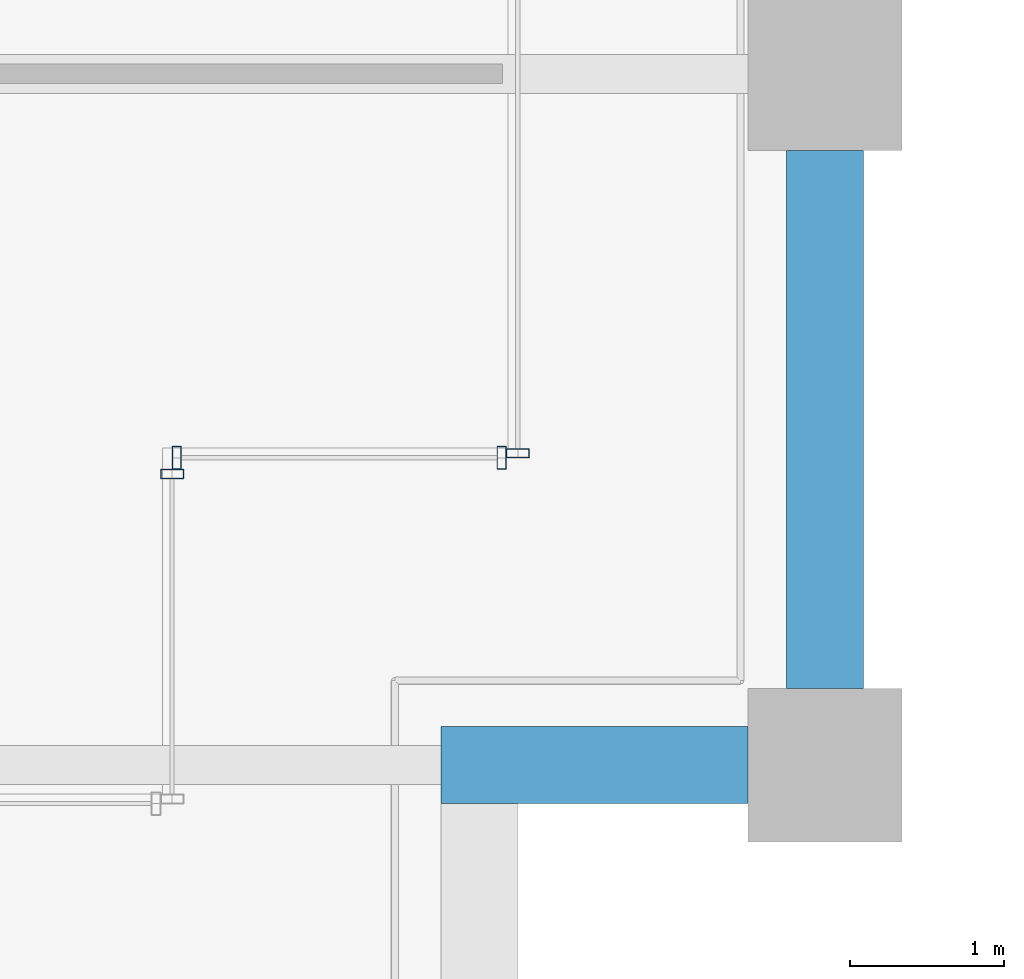
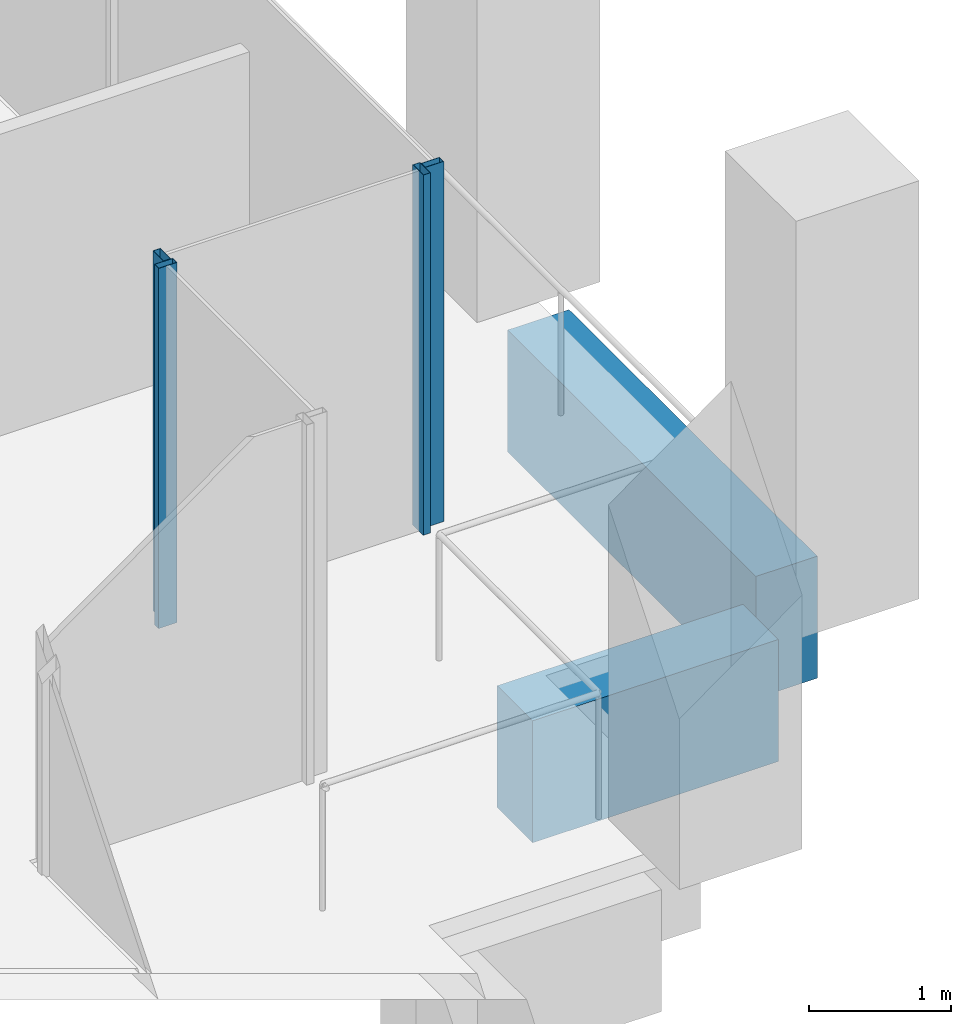
# One storey, part 13 of 46: 4 members, 2 beams, 3 elements without a shape of their own.
"""IFC4 building model written with IfcOpenShell, lengths in metres."""

from ifc_helpers import new_model, si_unit, direction, frame, origin, origin_2d, place, context, subcontext, project, spatial, rectangle, hollow_rectangle, extrude, material, material_profile, profile_set, type_object, element, aggregate, save


model = new_model("IFC4")

# Units and contexts
model_context = context("Model", 3, precision=1e-05, world=origin(), true_north=direction((0.0, 1.0)))
body_context = subcontext(model_context, "Body", "Model", "MODEL_VIEW")
ifc_project = project(units=[si_unit("LENGTHUNIT", "METRE"), si_unit("AREAUNIT", "SQUARE_METRE"), si_unit("VOLUMEUNIT", "CUBIC_METRE"), si_unit("PLANEANGLEUNIT", "RADIAN"), si_unit("MASSUNIT", "GRAM", prefix="KILO")], contexts=[model_context])

# Site, building, storey
site_placement = place(None, origin())
site = spatial("IfcSite", under=ifc_project, at=site_placement, CompositionType="ELEMENT")
building_placement = place(site_placement, origin())
building = spatial("IfcBuilding", under=site, at=building_placement, Name="Altepetl Exchange Towers", CompositionType="ELEMENT")
storey_placement = place(building_placement, frame((0.0, 0.0, 135.199951171875)))
storey = spatial("IfcBuildingStorey", under=building, at=storey_placement, Name="L33", CompositionType="ELEMENT", Elevation=135.199951171875)

# Curtain wall, member
ifc_material_1 = material(Name="Aluminium 6063-T6 glazing", Category="aluminium")
curtain_wall_type = type_object("IfcCurtainWallType", Name="Loggia glazing system", PredefinedType="NOTDEFINED", material=ifc_material_1)
curtain_wall_1_placement = place(storey_placement, origin())
curtain_wall_1 = element("IfcCurtainWall", 1, at=curtain_wall_1_placement, inside=storey, type_object=curtain_wall_type, Name="CW1 run", PredefinedType="NOTDEFINED")
ifc_material_2 = material(Name="Aluminium 6063-T6", Category="aluminium")
ifc_material_profile_1 = material_profile(ifc_material_2, hollow_rectangle(XDim=0.06005859375, YDim=0.14990234375, WallThickness=0.0029296875, at=origin_2d()), Name="Mullion 60x150 aluminium")
ifc_profile_set_1 = profile_set([ifc_material_profile_1], Name="Aluminium 6063-T6")
member_type = type_object("IfcMemberType", Name="Mullion 60x150 aluminium", PredefinedType="MULLION", material=ifc_profile_set_1)
member_1_placement = place(storey_placement, frame((67.75, 33.39501953125, 0.0), z_axis=(0.0, 0.0, 1.0), x_axis=(0.0, 1.0, 0.0)))
member_1 = element("IfcMember", 2, at=member_1_placement, type_object=member_type, Name="MU1 mullion", PredefinedType="MULLION", context=body_context, shape_type="SweptSolid", body=[
    extrude(hollow_rectangle(XDim=0.06005859375, YDim=0.14990234375, WallThickness=0.0029296875, at=origin_2d()), origin(), (0.0, 0.0, 1.0), 3.10009765625),
])
aggregate(curtain_wall_1, [member_1])

# Curtain wall, members
curtain_wall_2_placement = place(storey_placement, origin())
curtain_wall_2 = element("IfcCurtainWall", 3, at=curtain_wall_2_placement, inside=storey, type_object=curtain_wall_type, Name="CW1 run", PredefinedType="NOTDEFINED")
member_2_placement = place(storey_placement, frame((67.780029296875, 33.5, 0.0)))
member_2 = element("IfcMember", 4, at=member_2_placement, type_object=member_type, Name="MU1 mullion", PredefinedType="MULLION", context=body_context, shape_type="SweptSolid", body=[
    extrude(hollow_rectangle(XDim=0.06005859375, YDim=0.14990234375, WallThickness=0.0029296875, at=origin_2d()), origin(), (0.0, 0.0, 1.0), 3.10009765625),
])
member_3_placement = place(storey_placement, frame((69.89501953125, 33.5, 0.0)))
member_3 = element("IfcMember", 5, at=member_3_placement, type_object=member_type, Name="MU1 mullion", PredefinedType="MULLION", context=body_context, shape_type="SweptSolid", body=[
    extrude(hollow_rectangle(XDim=0.06005859375, YDim=0.14990234375, WallThickness=0.0029296875, at=origin_2d()), origin(), (0.0, 0.0, 1.0), 3.10009765625),
])
aggregate(curtain_wall_2, [member_2, member_3])

# Curtain wall, member
curtain_wall_3_placement = place(storey_placement, origin())
curtain_wall_3 = element("IfcCurtainWall", 6, at=curtain_wall_3_placement, inside=storey, type_object=curtain_wall_type, Name="CW1 run", PredefinedType="NOTDEFINED")
member_4_placement = place(storey_placement, frame((70.0, 33.530029296875, 0.0), z_axis=(0.0, 0.0, 1.0), x_axis=(0.0, 1.0, 0.0)))
member_4 = element("IfcMember", 7, at=member_4_placement, type_object=member_type, Name="MU1 mullion", PredefinedType="MULLION", context=body_context, shape_type="SweptSolid", body=[
    extrude(hollow_rectangle(XDim=0.06005859375, YDim=0.14990234375, WallThickness=0.0029296875, at=origin_2d()), origin(), (0.0, 0.0, 1.0), 3.10009765625),
])
aggregate(curtain_wall_3, [member_4])

# Beams
ifc_material_3 = material(Name="Concrete C50/60 precast with cantera amarilla facing", Category="concrete")
ifc_material_profile_2 = material_profile(ifc_material_3, rectangle(XDim=0.5, YDim=1.050048828125, at=origin_2d()), Name="500 x 1050")
ifc_profile_set_2 = profile_set([ifc_material_profile_2], Name="Concrete C50/60 precast with cantera amarilla facing")
beam_type = type_object("IfcBeamType", Name="Spandrel beam 500x1050 cantera amarilla", PredefinedType="SPANDREL", material=ifc_profile_set_2)
beam_1_placement = place(storey_placement, frame((69.5, 31.5, -0.675048828125), z_axis=(1.0, 0.0, 0.0), x_axis=(0.0, 1.0, 0.0)))
element("IfcBeam", 8, at=beam_1_placement, inside=storey, type_object=beam_type, Name="sp:A:L33:011", PredefinedType="SPANDREL", context=body_context, shape_type="SweptSolid", body=[
    extrude(rectangle(XDim=0.5, YDim=1.050048828125, at=origin_2d()), origin(), (0.0, 0.0, 1.0), 2.0),
])
beam_2_placement = place(storey_placement, frame((72.0, 32.0, -0.675048828125), z_axis=(0.0, 1.0, 0.0), x_axis=(-1.0, 0.0, 0.0)))
element("IfcBeam", 9, at=beam_2_placement, inside=storey, type_object=beam_type, Name="sp:A:L33:012", PredefinedType="SPANDREL", context=body_context, shape_type="SweptSolid", body=[
    extrude(rectangle(XDim=0.5, YDim=1.050048828125, at=origin_2d()), origin(), (0.0, 0.0, 1.0), 3.5),
])

save(model, "model.ifc")
